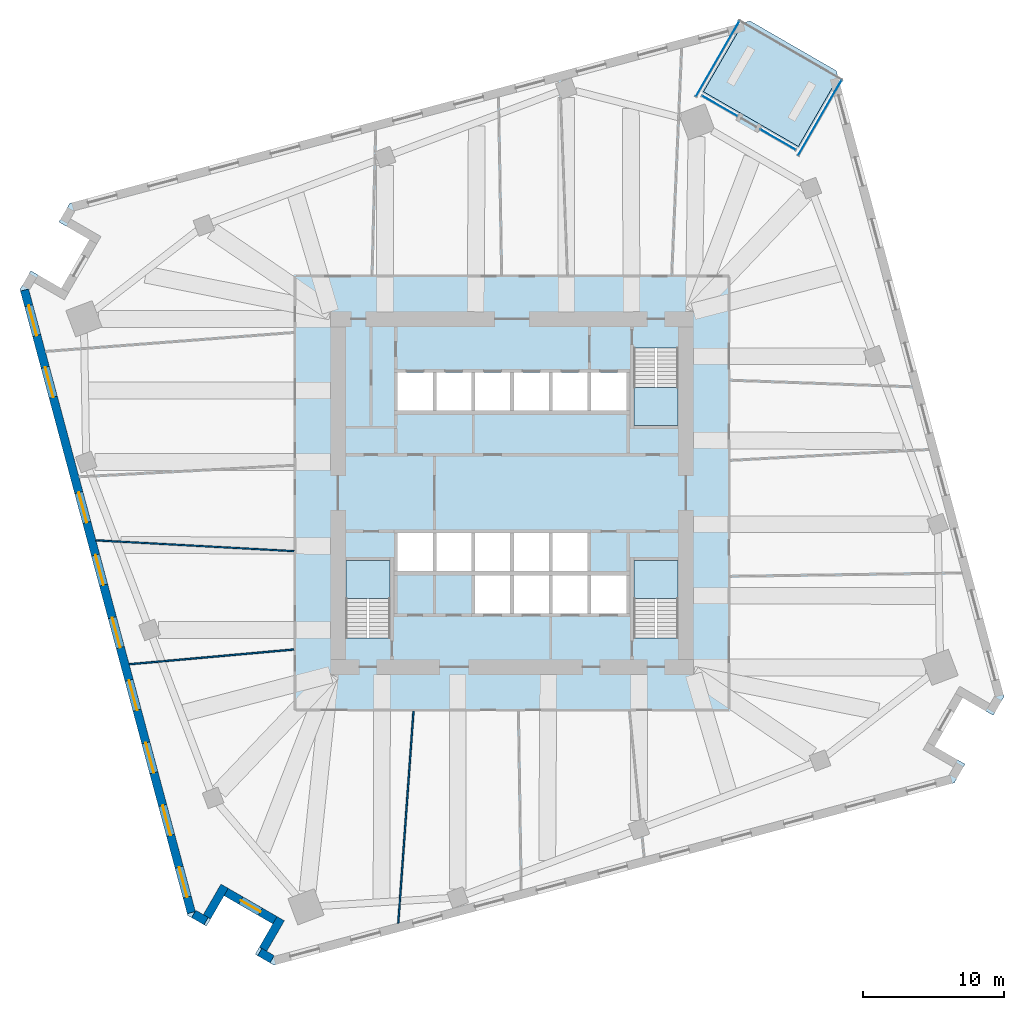
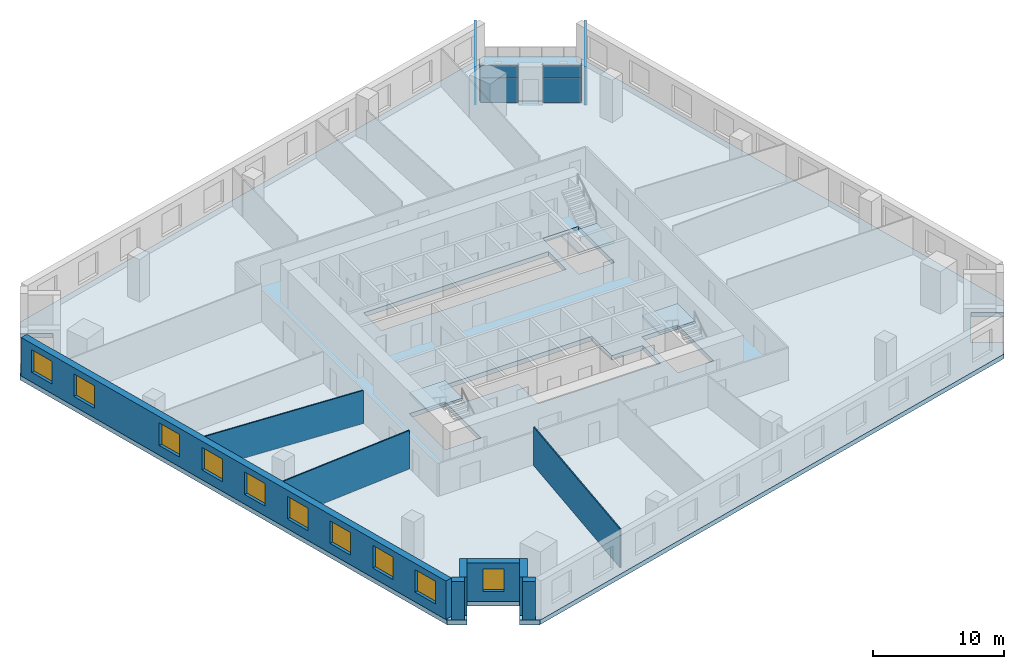
# One storey, part 5 of 13: 10 windows, 9 walls, 8 plates, 5 slabs, 10 openings, 7 elements without a shape of their own.
"""IFC4 building model written with IfcOpenShell, lengths in metres."""

from ifc_helpers import new_model, si_unit, direction, frame, frame_2d, origin, origin_2d, place, context, subcontext, project, spatial, polyline, rectangle, outline, extrude, material, layer, layer_set, type_object, element, fill, aggregate, save


model = new_model("IFC4")

# Units and contexts
model_context = context("Model", 3, precision=1e-05, world=origin(), true_north=direction((0.0, 1.0)))
body_context = subcontext(model_context, "Body", "Model", "MODEL_VIEW")
ifc_project = project(units=[si_unit("LENGTHUNIT", "METRE"), si_unit("AREAUNIT", "SQUARE_METRE"), si_unit("VOLUMEUNIT", "CUBIC_METRE"), si_unit("PLANEANGLEUNIT", "RADIAN"), si_unit("MASSUNIT", "GRAM", prefix="KILO")], contexts=[model_context])

# Site, building, storey
site_placement = place(None, origin())
site = spatial("IfcSite", under=ifc_project, at=site_placement, CompositionType="ELEMENT")
building_placement = place(site_placement, origin())
building = spatial("IfcBuilding", under=site, at=building_placement, Name="Dilmun Exchange Tower", CompositionType="ELEMENT")
storey_placement = place(building_placement, frame((0.0, 0.0, 86.10009765625)))
storey = spatial("IfcBuildingStorey", under=building, at=storey_placement, Name="L19", CompositionType="ELEMENT", Elevation=86.10009765625)

# Stair, slab
ifc_material_1 = material(Name="Concrete C40/50", Category="concrete")
stair_type = type_object("IfcStairType", Name="Exit stair 1500 half-turn", PredefinedType="HALF_TURN_STAIR", material=ifc_material_1)
stair_1_placement = place(storey_placement, origin())
stair_1 = element("IfcStair", 1, at=stair_1_placement, inside=storey, type_object=stair_type, Name="L19 Protected exit stair ST1", PredefinedType="HALF_TURN_STAIR")
ifc_layer_1 = layer(ifc_material_1, 0.199951171875)
ifc_layer_set_1 = layer_set([ifc_layer_1], Name="Concrete C40/50")
slab_type_1 = type_object("IfcSlabType", Name="Exit stair landing 200", PredefinedType="LANDING", material=ifc_layer_set_1)
slab_1_placement = place(storey_placement, frame((0.0, 0.0, 1.7998046875)))
slab_1 = element("IfcSlab", 2, at=slab_1_placement, type_object=slab_type_1, Name="ST1 landing 1", PredefinedType="LANDING", context=body_context, shape_type="SweptSolid", body=[
    extrude(outline(polyline([(8.64990234375, 7.5), (8.64990234375, 4.800048828125), (11.800048828125, 4.800048828125), (11.800048828125, 7.5), (8.64990234375, 7.5)])), origin(), (0.0, 0.0, 1.0), 0.2001953125),
])
aggregate(stair_1, [slab_1])

stair_2_placement = place(storey_placement, origin())
stair_2 = element("IfcStair", 3, at=stair_2_placement, inside=storey, type_object=stair_type, Name="L19 Protected exit stair ST2", PredefinedType="HALF_TURN_STAIR")
slab_2_placement = place(storey_placement, frame((0.0, 0.0, 1.7998046875)))
slab_2 = element("IfcSlab", 4, at=slab_2_placement, type_object=slab_type_1, Name="ST2 landing 1", PredefinedType="LANDING", context=body_context, shape_type="SweptSolid", body=[
    extrude(outline(polyline([(-8.64990234375, -7.5), (-8.64990234375, -4.800048828125), (-11.800048828125, -4.800048828125), (-11.800048828125, -7.5), (-8.64990234375, -7.5)])), origin(), (0.0, 0.0, 1.0), 0.2001953125),
])
aggregate(stair_2, [slab_2])

stair_3_placement = place(storey_placement, origin())
stair_3 = element("IfcStair", 5, at=stair_3_placement, inside=storey, type_object=stair_type, Name="L19 Protected exit stair ST3", PredefinedType="HALF_TURN_STAIR")
slab_3_placement = place(storey_placement, frame((0.0, 0.0, 1.7998046875)))
slab_3 = element("IfcSlab", 6, at=slab_3_placement, type_object=slab_type_1, Name="ST3 landing 1", PredefinedType="LANDING", context=body_context, shape_type="SweptSolid", body=[
    extrude(outline(polyline([(11.800048828125, -7.5), (11.800048828125, -4.800048828125), (8.64990234375, -4.800048828125), (8.64990234375, -7.5), (11.800048828125, -7.5)])), origin(), (0.0, 0.0, 1.0), 0.2001953125),
])
aggregate(stair_3, [slab_3])

# Curtain wall, plates
ifc_material_2 = material(Name="Anodised aluminium and clear glass", Category="aluminium")
curtain_wall_type = type_object("IfcCurtainWallType", Name="Garden corner glazing", PredefinedType="NOTDEFINED", material=ifc_material_2)
curtain_wall_1_placement = place(storey_placement, origin())
curtain_wall_1 = element("IfcCurtainWall", 7, at=curtain_wall_1_placement, inside=storey, type_object=curtain_wall_type, Name="Garden corner glazing run GC1.1", PredefinedType="NOTDEFINED")
ifc_material_3 = material(Name="Clear glass", Category="glass")
ifc_layer_2 = layer(ifc_material_3, 0.028076171875)
ifc_layer_set_2 = layer_set([ifc_layer_2], Name="Clear glass")
plate_type = type_object("IfcPlateType", Name="Garden corner glazing glass panel 28", PredefinedType="CURTAIN_PANEL", material=ifc_layer_set_2)
plate_1_placement = place(storey_placement, frame((21.8525390625, 26.64306640625, 0.059814453125), z_axis=(0.0, 0.0, 1.0), x_axis=(-0.500007922473, -0.866020829694, 0.0)))
plate_1 = element("IfcPlate", 8, at=plate_1_placement, type_object=plate_type, Name="GC1.1 panel 1.1", PredefinedType="CURTAIN_PANEL", context=body_context, shape_type="SweptSolid", body=[
    extrude(rectangle(XDim=6.12646484375, YDim=0.028076171875, at=origin_2d()), origin(), (0.0, 0.0, 1.0), 2.31005859375),
])
plate_2_placement = place(storey_placement, frame((21.8525390625, 26.64306640625, 2.4296875), z_axis=(0.0, 0.0, 1.0), x_axis=(-0.500007922473, -0.866020829694, 0.0)))
plate_2 = element("IfcPlate", 9, at=plate_2_placement, type_object=plate_type, Name="GC1.1 panel 1.2", PredefinedType="CURTAIN_PANEL", context=body_context, shape_type="SweptSolid", body=[
    extrude(rectangle(XDim=6.12646484375, YDim=0.028076171875, at=origin_2d()), origin(), (0.0, 0.0, 1.0), 1.090087890625),
])
aggregate(curtain_wall_1, [plate_1, plate_2])

curtain_wall_2_placement = place(storey_placement, origin())
curtain_wall_2 = element("IfcCurtainWall", 10, at=curtain_wall_2_placement, inside=storey, type_object=curtain_wall_type, Name="Garden corner glazing run GC2.1", PredefinedType="NOTDEFINED")
plate_3_placement = place(storey_placement, frame((18.88671875, 25.095458984375, 0.059814453125), z_axis=(0.0, 0.0, 1.0), x_axis=(-0.866015104744, 0.500017838036, 0.0)))
plate_3 = element("IfcPlate", 11, at=plate_3_placement, type_object=plate_type, Name="GC2.1 panel 1.1", PredefinedType="CURTAIN_PANEL", context=body_context, shape_type="SweptSolid", body=[
    extrude(rectangle(XDim=2.869140625, YDim=0.028076171875, at=origin_2d()), origin(), (0.0, 0.0, 1.0), 2.31005859375),
])
plate_4_placement = place(storey_placement, frame((18.88671875, 25.095458984375, 2.4296875), z_axis=(0.0, 0.0, 1.0), x_axis=(-0.866015104744, 0.500017838036, 0.0)))
plate_4 = element("IfcPlate", 12, at=plate_4_placement, type_object=plate_type, Name="GC2.1 panel 1.2", PredefinedType="CURTAIN_PANEL", context=body_context, shape_type="SweptSolid", body=[
    extrude(rectangle(XDim=2.869140625, YDim=0.028076171875, at=origin_2d()), origin(), (0.0, 0.0, 1.0), 1.090087890625),
])
aggregate(curtain_wall_2, [plate_3, plate_4])

curtain_wall_3_placement = place(storey_placement, origin())
curtain_wall_3 = element("IfcCurtainWall", 13, at=curtain_wall_3_placement, inside=storey, type_object=curtain_wall_type, Name="Garden corner glazing run GC2.3", PredefinedType="NOTDEFINED")
plate_5_placement = place(storey_placement, frame((14.7392578125, 27.489990234375, 0.059814453125), z_axis=(0.0, 0.0, 1.0), x_axis=(-0.866037954663, 0.499978260611, 0.0)))
plate_5 = element("IfcPlate", 14, at=plate_5_placement, type_object=plate_type, Name="GC2.3 panel 1.1", PredefinedType="CURTAIN_PANEL", context=body_context, shape_type="SweptSolid", body=[
    extrude(rectangle(XDim=2.869140625, YDim=0.028076171875, at=origin_2d()), origin(), (0.0, 0.0, 1.0), 2.31005859375),
])
plate_6_placement = place(storey_placement, frame((14.7392578125, 27.489990234375, 2.4296875), z_axis=(0.0, 0.0, 1.0), x_axis=(-0.866037954663, 0.499978260611, 0.0)))
plate_6 = element("IfcPlate", 15, at=plate_6_placement, type_object=plate_type, Name="GC2.3 panel 1.2", PredefinedType="CURTAIN_PANEL", context=body_context, shape_type="SweptSolid", body=[
    extrude(rectangle(XDim=2.869140625, YDim=0.028076171875, at=origin_2d()), origin(), (0.0, 0.0, 1.0), 1.090087890625),
])
aggregate(curtain_wall_3, [plate_5, plate_6])

curtain_wall_4_placement = place(storey_placement, origin())
curtain_wall_4 = element("IfcCurtainWall", 16, at=curtain_wall_4_placement, inside=storey, type_object=curtain_wall_type, Name="Garden corner glazing run GC3.1", PredefinedType="NOTDEFINED")
plate_7_placement = place(storey_placement, frame((14.5966796875, 30.832275390625, 0.059814453125), z_axis=(0.0, 0.0, 1.0), x_axis=(0.499995915726, 0.866027761828, 0.0)))
plate_7 = element("IfcPlate", 17, at=plate_7_placement, type_object=plate_type, Name="GC3.1 panel 1.1", PredefinedType="CURTAIN_PANEL", context=body_context, shape_type="SweptSolid", body=[
    extrude(rectangle(XDim=6.12646484375, YDim=0.028076171875, at=origin_2d()), origin(), (0.0, 0.0, 1.0), 2.31005859375),
])
plate_8_placement = place(storey_placement, frame((14.5966796875, 30.832275390625, 2.4296875), z_axis=(0.0, 0.0, 1.0), x_axis=(0.499995915726, 0.866027761828, 0.0)))
plate_8 = element("IfcPlate", 18, at=plate_8_placement, type_object=plate_type, Name="GC3.1 panel 1.2", PredefinedType="CURTAIN_PANEL", context=body_context, shape_type="SweptSolid", body=[
    extrude(rectangle(XDim=6.12646484375, YDim=0.028076171875, at=origin_2d()), origin(), (0.0, 0.0, 1.0), 1.090087890625),
])
aggregate(curtain_wall_4, [plate_7, plate_8])

# Slabs
ifc_layer_3 = layer(ifc_material_1, 0.419921875)
ifc_layer_set_3 = layer_set([ifc_layer_3], Name="Concrete C40/50")
slab_type_2 = type_object("IfcSlabType", Name="RC floor slab 420", PredefinedType="FLOOR", material=ifc_layer_set_3)
slab_4_placement = place(storey_placement, frame((0.0, 0.0, -0.420166015625)))
element("IfcSlab", 19, at=slab_4_placement, inside=storey, type_object=slab_type_2, Name="Floor slab", PredefinedType="FLOOR", context=body_context, shape_type="SweptSolid", body=[
    extrude(outline(polyline([(34.162841796875, -15.781494140625), (31.997802734375, -14.531494140625), (29.997802734375, -17.99560546875), (32.162841796875, -19.24560546875), (31.39501953125, -20.575439453125), (-16.901123046875, -33.516357421875), (-18.23095703125, -32.74853515625), (-16.98095703125, -30.58349609375), (-20.445068359375, -28.58349609375), (-21.695068359375, -30.74853515625), (-23.02490234375, -29.98095703125), (-34.9306640625, 14.45166015625), (-34.162841796875, 15.781494140625), (-31.997802734375, 14.531494140625), (-29.997802734375, 17.99560546875), (-32.162841796875, 19.24560546875), (-31.39501953125, 20.575439453125), (16.418212890625, 33.386962890625), (13.594970703125, 28.4970703125), (20.3310546875, 24.60791015625), (23.154296875, 29.497802734375), (34.9306640625, -14.45166015625), (34.162841796875, -15.781494140625)]), holes=[polyline([(-8.64990234375, -4.800048828125), (-11.800048828125, -4.800048828125), (-11.800048828125, -10.294921875), (-8.64990234375, -10.294921875), (-8.64990234375, -4.800048828125)]), polyline([(11.800048828125, -4.800048828125), (8.64990234375, -4.800048828125), (8.64990234375, -10.294921875), (11.800048828125, -10.294921875), (11.800048828125, -4.800048828125)]), polyline([(-8.125, -2.85009765625), (-8.125, -5.550048828125), (-2.625, -5.550048828125), (-2.625, -8.550048828125), (8.125, -8.550048828125), (8.125, -5.85009765625), (5.375, -5.85009765625), (5.375, -2.85009765625), (-8.125, -2.85009765625)]), polyline([(-8.125, 5.85009765625), (8.125, 5.85009765625), (8.125, 8.550048828125), (-8.125, 8.550048828125), (-8.125, 5.85009765625)]), polyline([(8.64990234375, 10.294921875), (8.64990234375, 4.800048828125), (11.800048828125, 4.800048828125), (11.800048828125, 10.294921875), (8.64990234375, 10.294921875)])]), origin(), (0.0, 0.0, 1.0), 0.420166015625),
])
ifc_layer_4 = layer(ifc_material_1, 0.300048828125)
ifc_layer_set_4 = layer_set([ifc_layer_4], Name="Concrete C40/50")
slab_type_3 = type_object("IfcSlabType", Name="RC garden terrace slab 300", PredefinedType="FLOOR", material=ifc_layer_set_4)
slab_5_placement = place(storey_placement, frame((0.0, 0.0, -0.300048828125)))
element("IfcSlab", 20, at=slab_5_placement, inside=storey, type_object=slab_type_3, Name="Garden terrace slab", PredefinedType="FLOOR", context=body_context, shape_type="SweptSolid", body=[
    extrude(outline(polyline([(13.594970703125, 28.4970703125), (16.418212890625, 33.386962890625), (16.901123046875, 33.516357421875), (23.02490234375, 29.98095703125), (23.154296875, 29.497802734375), (20.3310546875, 24.60791015625), (13.594970703125, 28.4970703125)])), origin(), (0.0, 0.0, 1.0), 0.300048828125),
])

# Walls
ifc_material_4 = material(Name="Partition 100")
ifc_layer_5 = layer(ifc_material_4, 0.10009765625)
ifc_layer_set_5 = layer_set([ifc_layer_5], Name="Partition 100")
wall_type_1 = type_object("IfcWallType", Name="Partition 100", PredefinedType="PARTITIONING", material=ifc_layer_set_5)
wall_1_placement = place(storey_placement, frame((-29.535888671875, -3.35546875, 0.0), z_axis=(0.0, 0.0, 1.0), x_axis=(0.998509889637, -0.054571057322, 0.0)))
element("IfcWall", 21, at=wall_1_placement, inside=storey, type_object=wall_type_1, Name="Partition", PredefinedType="PARTITIONING", context=body_context, shape_type="SweptSolid", body=[
    extrude(rectangle(XDim=14.0791015625, YDim=0.10009765625, at=frame_2d((7.03955078125, 0.0))), origin(), (0.0, 0.0, 1.0), 3.079833984375),
])
wall_2_placement = place(storey_placement, frame((-27.178466796875, -12.153564453125, 0.0), z_axis=(0.0, 0.0, 1.0), x_axis=(0.996016470741, 0.089169445512, 0.0)))
element("IfcWall", 22, at=wall_2_placement, inside=storey, type_object=wall_type_1, Name="Partition", PredefinedType="PARTITIONING", context=body_context, shape_type="SweptSolid", body=[
    extrude(rectangle(XDim=11.745849609375, YDim=0.10009765625, at=frame_2d((5.873046875, 0.0))), origin(), (0.0, 0.0, 1.0), 3.579833984375),
])
wall_3_placement = place(storey_placement, frame((-8.07421875, -30.528076171875, 0.0), z_axis=(0.0, 0.0, 1.0), x_axis=(0.071616164184, 0.997432265885, 0.0)))
element("IfcWall", 23, at=wall_3_placement, inside=storey, type_object=wall_type_1, Name="Partition", PredefinedType="PARTITIONING", context=body_context, shape_type="SweptSolid", body=[
    extrude(rectangle(XDim=15.08837890625, YDim=0.10009765625, at=frame_2d((7.544189453125, 0.0))), origin(), (0.0, 0.0, 1.0), 3.579833984375),
])

# Wall, openings, windows
ifc_material_5 = material(Name="Precast concrete C50/60", Category="concrete")
ifc_layer_6 = layer(ifc_material_5, 0.60009765625)
ifc_layer_set_6 = layer_set([ifc_layer_6], Name="Precast concrete C50/60")
wall_type_2 = type_object("IfcWallType", Name="Precast stone-clad wall 600", PredefinedType="STANDARD", material=ifc_layer_set_6)
wall_4_placement = place(storey_placement, frame((-34.608642578125, 14.4091796875, 0.0), z_axis=(0.0, 0.0, 1.0), x_axis=(0.258818949408, -0.96592585193, 0.0)))
wall_4 = element("IfcWall", 24, at=wall_4_placement, inside=storey, type_object=wall_type_2, Name="Facade wall L19-09", PredefinedType="STANDARD", context=body_context, shape_type="SweptSolid", body=[
    extrude(rectangle(XDim=45.751220703125, YDim=0.60009765625, at=frame_2d((22.87548828125, 0.0))), origin(), (0.0, 0.0, 1.0), 3.579833984375),
])
opening_1_placement = place(wall_4_placement, frame((1.137939453125, 0.0, 0.89990234375)))
opening_1 = element("IfcOpeningElement", 25, at=opening_1_placement, cuts=wall_4, Name="Opening W220-210", PredefinedType="OPENING", context=body_context, shape_type="SweptSolid", body=[
    extrude(rectangle(XDim=2.199951171875, YDim=2.10009765625, at=frame_2d((1.10009765625, 1.050048828125))), frame((0.0, 0.31005859375, 0.0), z_axis=(0.0, -1.0, 0.0), x_axis=(1.0, 0.0, 0.0)), (0.0, 0.0, 1.0), 0.6201171875),
])
opening_2_placement = place(wall_4_placement, frame((5.67578125, 0.0, 0.89990234375)))
opening_2 = element("IfcOpeningElement", 26, at=opening_2_placement, cuts=wall_4, Name="Opening W220-210", PredefinedType="OPENING", context=body_context, shape_type="SweptSolid", body=[
    extrude(rectangle(XDim=2.199951171875, YDim=2.10009765625, at=frame_2d((1.10009765625, 1.050048828125))), frame((0.0, 0.31005859375, 0.0), z_axis=(0.0, -1.0, 0.0), x_axis=(1.0, 0.0, 0.0)), (0.0, 0.0, 1.0), 0.6201171875),
])
opening_3_placement = place(wall_4_placement, frame((14.875732421875, 0.0, 0.89990234375)))
opening_3 = element("IfcOpeningElement", 27, at=opening_3_placement, cuts=wall_4, Name="Opening W220-210", PredefinedType="OPENING", context=body_context, shape_type="SweptSolid", body=[
    extrude(rectangle(XDim=2.199951171875, YDim=2.10009765625, at=frame_2d((1.10009765625, 1.050048828125))), frame((0.0, 0.31005859375, 0.0), z_axis=(0.0, -1.0, 0.0), x_axis=(1.0, 0.0, 0.0)), (0.0, 0.0, 1.0), 0.6201171875),
])
opening_4_placement = place(wall_4_placement, frame((19.4755859375, 0.0, 0.89990234375)))
opening_4 = element("IfcOpeningElement", 28, at=opening_4_placement, cuts=wall_4, Name="Opening W220-210", PredefinedType="OPENING", context=body_context, shape_type="SweptSolid", body=[
    extrude(rectangle(XDim=2.199951171875, YDim=2.10009765625, at=frame_2d((1.10009765625, 1.050048828125))), frame((0.0, 0.31005859375, 0.0), z_axis=(0.0, -1.0, 0.0), x_axis=(1.0, 0.0, 0.0)), (0.0, 0.0, 1.0), 0.6201171875),
])
opening_5_placement = place(wall_4_placement, frame((24.07568359375, 0.0, 0.89990234375)))
opening_5 = element("IfcOpeningElement", 29, at=opening_5_placement, cuts=wall_4, Name="Opening W220-210", PredefinedType="OPENING", context=body_context, shape_type="SweptSolid", body=[
    extrude(rectangle(XDim=2.199951171875, YDim=2.10009765625, at=frame_2d((1.10009765625, 1.050048828125))), frame((0.0, 0.31005859375, 0.0), z_axis=(0.0, -1.0, 0.0), x_axis=(1.0, 0.0, 0.0)), (0.0, 0.0, 1.0), 0.6201171875),
])
opening_6_placement = place(wall_4_placement, frame((28.67578125, 0.0, 0.89990234375)))
opening_6 = element("IfcOpeningElement", 30, at=opening_6_placement, cuts=wall_4, Name="Opening W220-210", PredefinedType="OPENING", context=body_context, shape_type="SweptSolid", body=[
    extrude(rectangle(XDim=2.199951171875, YDim=2.10009765625, at=frame_2d((1.10009765625, 1.050048828125))), frame((0.0, 0.31005859375, 0.0), z_axis=(0.0, -1.0, 0.0), x_axis=(1.0, 0.0, 0.0)), (0.0, 0.0, 1.0), 0.6201171875),
])
opening_7_placement = place(wall_4_placement, frame((33.275634765625, 0.0, 0.89990234375)))
opening_7 = element("IfcOpeningElement", 31, at=opening_7_placement, cuts=wall_4, Name="Opening W220-210", PredefinedType="OPENING", context=body_context, shape_type="SweptSolid", body=[
    extrude(rectangle(XDim=2.199951171875, YDim=2.10009765625, at=frame_2d((1.10009765625, 1.050048828125))), frame((0.0, 0.31005859375, 0.0), z_axis=(0.0, -1.0, 0.0), x_axis=(1.0, 0.0, 0.0)), (0.0, 0.0, 1.0), 0.6201171875),
])
opening_8_placement = place(wall_4_placement, frame((37.875732421875, 0.0, 0.89990234375)))
opening_8 = element("IfcOpeningElement", 32, at=opening_8_placement, cuts=wall_4, Name="Opening W220-210", PredefinedType="OPENING", context=body_context, shape_type="SweptSolid", body=[
    extrude(rectangle(XDim=2.199951171875, YDim=2.10009765625, at=frame_2d((1.10009765625, 1.050048828125))), frame((0.0, 0.31005859375, 0.0), z_axis=(0.0, -1.0, 0.0), x_axis=(1.0, 0.0, 0.0)), (0.0, 0.0, 1.0), 0.6201171875),
])
opening_9_placement = place(wall_4_placement, frame((42.41357421875, 0.0, 0.89990234375)))
opening_9 = element("IfcOpeningElement", 33, at=opening_9_placement, cuts=wall_4, Name="Opening W220-210", PredefinedType="OPENING", context=body_context, shape_type="SweptSolid", body=[
    extrude(rectangle(XDim=2.199951171875, YDim=2.10009765625, at=frame_2d((1.10009765625, 1.050048828125))), frame((0.0, 0.31005859375, 0.0), z_axis=(0.0, -1.0, 0.0), x_axis=(1.0, 0.0, 0.0)), (0.0, 0.0, 1.0), 0.6201171875),
])
ifc_material_6 = material(Name="Clear low-emissivity glass in aluminium frame", Category="aluminium")
window_type_1 = type_object("IfcWindowType", Name="Punched window 2200 x 2100", PartitioningType="DOUBLE_PANEL_VERTICAL", PredefinedType="WINDOW", material=ifc_material_6)
window_1_placement = place(opening_1_placement, origin())
window_1 = element("IfcWindow", 34, at=window_1_placement, inside=storey, type_object=window_type_1, Name="Window 10.1", OverallHeight=2.10009765625, OverallWidth=2.199951171875, PartitioningType="SINGLE_PANEL", PredefinedType="WINDOW", context=body_context, shape_type="SweptSolid", body=[
    extrude(rectangle(XDim=2.199951171875, YDim=2.10009765625, at=frame_2d((1.10009765625, 1.050048828125))), frame((0.0, 0.030029296875, 0.0), z_axis=(0.0, -1.0, 0.0), x_axis=(1.0, 0.0, 0.0)), (0.0, 0.0, 1.0), 0.06005859375),
])
fill(opening_1, window_1)
window_2_placement = place(opening_2_placement, origin())
window_2 = element("IfcWindow", 35, at=window_2_placement, inside=storey, type_object=window_type_1, Name="Window 10.2", OverallHeight=2.10009765625, OverallWidth=2.199951171875, PartitioningType="SINGLE_PANEL", PredefinedType="WINDOW", context=body_context, shape_type="SweptSolid", body=[
    extrude(rectangle(XDim=2.199951171875, YDim=2.10009765625, at=frame_2d((1.10009765625, 1.050048828125))), frame((0.0, 0.030029296875, 0.0), z_axis=(0.0, -1.0, 0.0), x_axis=(1.0, 0.0, 0.0)), (0.0, 0.0, 1.0), 0.06005859375),
])
fill(opening_2, window_2)
window_3_placement = place(opening_3_placement, origin())
window_3 = element("IfcWindow", 36, at=window_3_placement, inside=storey, type_object=window_type_1, Name="Window 10.4", OverallHeight=2.10009765625, OverallWidth=2.199951171875, PartitioningType="SINGLE_PANEL", PredefinedType="WINDOW", context=body_context, shape_type="SweptSolid", body=[
    extrude(rectangle(XDim=2.199951171875, YDim=2.10009765625, at=frame_2d((1.10009765625, 1.050048828125))), frame((0.0, 0.030029296875, 0.0), z_axis=(0.0, -1.0, 0.0), x_axis=(1.0, 0.0, 0.0)), (0.0, 0.0, 1.0), 0.06005859375),
])
fill(opening_3, window_3)
window_4_placement = place(opening_4_placement, origin())
window_4 = element("IfcWindow", 37, at=window_4_placement, inside=storey, type_object=window_type_1, Name="Window 10.5", OverallHeight=2.10009765625, OverallWidth=2.199951171875, PartitioningType="SINGLE_PANEL", PredefinedType="WINDOW", context=body_context, shape_type="SweptSolid", body=[
    extrude(rectangle(XDim=2.199951171875, YDim=2.10009765625, at=frame_2d((1.10009765625, 1.050048828125))), frame((0.0, 0.030029296875, 0.0), z_axis=(0.0, -1.0, 0.0), x_axis=(1.0, 0.0, 0.0)), (0.0, 0.0, 1.0), 0.06005859375),
])
fill(opening_4, window_4)
window_5_placement = place(opening_5_placement, origin())
window_5 = element("IfcWindow", 38, at=window_5_placement, inside=storey, type_object=window_type_1, Name="Window 10.6", OverallHeight=2.10009765625, OverallWidth=2.199951171875, PartitioningType="SINGLE_PANEL", PredefinedType="WINDOW", context=body_context, shape_type="SweptSolid", body=[
    extrude(rectangle(XDim=2.199951171875, YDim=2.10009765625, at=frame_2d((1.10009765625, 1.050048828125))), frame((0.0, 0.030029296875, 0.0), z_axis=(0.0, -1.0, 0.0), x_axis=(1.0, 0.0, 0.0)), (0.0, 0.0, 1.0), 0.06005859375),
])
fill(opening_5, window_5)
window_6_placement = place(opening_6_placement, origin())
window_6 = element("IfcWindow", 39, at=window_6_placement, inside=storey, type_object=window_type_1, Name="Window 10.7", OverallHeight=2.10009765625, OverallWidth=2.199951171875, PartitioningType="SINGLE_PANEL", PredefinedType="WINDOW", context=body_context, shape_type="SweptSolid", body=[
    extrude(rectangle(XDim=2.199951171875, YDim=2.10009765625, at=frame_2d((1.10009765625, 1.050048828125))), frame((0.0, 0.030029296875, 0.0), z_axis=(0.0, -1.0, 0.0), x_axis=(1.0, 0.0, 0.0)), (0.0, 0.0, 1.0), 0.06005859375),
])
fill(opening_6, window_6)
window_7_placement = place(opening_7_placement, origin())
window_7 = element("IfcWindow", 40, at=window_7_placement, inside=storey, type_object=window_type_1, Name="Window 10.8", OverallHeight=2.10009765625, OverallWidth=2.199951171875, PartitioningType="SINGLE_PANEL", PredefinedType="WINDOW", context=body_context, shape_type="SweptSolid", body=[
    extrude(rectangle(XDim=2.199951171875, YDim=2.10009765625, at=frame_2d((1.10009765625, 1.050048828125))), frame((0.0, 0.030029296875, 0.0), z_axis=(0.0, -1.0, 0.0), x_axis=(1.0, 0.0, 0.0)), (0.0, 0.0, 1.0), 0.06005859375),
])
fill(opening_7, window_7)
window_8_placement = place(opening_8_placement, origin())
window_8 = element("IfcWindow", 41, at=window_8_placement, inside=storey, type_object=window_type_1, Name="Window 10.9", OverallHeight=2.10009765625, OverallWidth=2.199951171875, PartitioningType="SINGLE_PANEL", PredefinedType="WINDOW", context=body_context, shape_type="SweptSolid", body=[
    extrude(rectangle(XDim=2.199951171875, YDim=2.10009765625, at=frame_2d((1.10009765625, 1.050048828125))), frame((0.0, 0.030029296875, 0.0), z_axis=(0.0, -1.0, 0.0), x_axis=(1.0, 0.0, 0.0)), (0.0, 0.0, 1.0), 0.06005859375),
])
fill(opening_8, window_8)
window_9_placement = place(opening_9_placement, origin())
window_9 = element("IfcWindow", 42, at=window_9_placement, inside=storey, type_object=window_type_1, Name="Window 10.10", OverallHeight=2.10009765625, OverallWidth=2.199951171875, PartitioningType="SINGLE_PANEL", PredefinedType="WINDOW", context=body_context, shape_type="SweptSolid", body=[
    extrude(rectangle(XDim=2.199951171875, YDim=2.10009765625, at=frame_2d((1.10009765625, 1.050048828125))), frame((0.0, 0.030029296875, 0.0), z_axis=(0.0, -1.0, 0.0), x_axis=(1.0, 0.0, 0.0)), (0.0, 0.0, 1.0), 0.06005859375),
])
fill(opening_9, window_9)

# Walls
wall_5_placement = place(storey_placement, frame((-22.593994140625, -29.88330078125, 0.0), z_axis=(0.0, 0.0, 1.0), x_axis=(0.86602074273, -0.500008073096, 0.0)))
element("IfcWall", 43, at=wall_5_placement, inside=storey, type_object=wall_type_2, Name="Facade wall L19-10", PredefinedType="STANDARD", context=body_context, shape_type="SweptSolid", body=[
    extrude(rectangle(XDim=1.01123046875, YDim=0.60009765625, at=frame_2d((0.505615234375, 0.0))), origin(), (0.0, 0.0, 1.0), 3.579833984375),
])
wall_6_placement = place(storey_placement, frame((-21.65478515625, -30.0791015625, 0.0), z_axis=(0.0, 0.0, 1.0), x_axis=(0.500004234368, 0.866022959057, 0.0)))
element("IfcWall", 44, at=wall_6_placement, inside=storey, type_object=wall_type_2, Name="Facade wall L19-11", PredefinedType="STANDARD", context=body_context, shape_type="SweptSolid", body=[
    extrude(rectangle(XDim=2.5, YDim=0.60009765625, at=frame_2d((1.25, 0.0))), origin(), (0.0, 0.0, 1.0), 3.579833984375),
])

# Wall, opening, window
wall_7_placement = place(storey_placement, frame((-20.295166015625, -28.32373046875, 0.0), z_axis=(0.0, 0.0, 1.0), x_axis=(0.866026010844, -0.49999894854, 0.0)))
wall_7 = element("IfcWall", 45, at=wall_7_placement, inside=storey, type_object=wall_type_2, Name="Facade wall L19-12", PredefinedType="STANDARD", context=body_context, shape_type="SweptSolid", body=[
    extrude(rectangle(XDim=4.0, YDim=0.60009765625, at=frame_2d((2.0, 0.0))), origin(), (0.0, 0.0, 1.0), 3.579833984375),
])
opening_10_placement = place(wall_7_placement, frame((1.199951171875, 0.0, 0.89990234375)))
opening_10 = element("IfcOpeningElement", 46, at=opening_10_placement, cuts=wall_7, Name="Opening W160-210", PredefinedType="OPENING", context=body_context, shape_type="SweptSolid", body=[
    extrude(rectangle(XDim=1.60009765625, YDim=2.10009765625, at=frame_2d((0.800048828125, 1.050048828125))), frame((0.0, 0.31005859375, 0.0), z_axis=(0.0, -1.0, 0.0), x_axis=(1.0, 0.0, 0.0)), (0.0, 0.0, 1.0), 0.6201171875),
])
window_type_2 = type_object("IfcWindowType", Name="Punched window 1600 x 2100", PartitioningType="DOUBLE_PANEL_VERTICAL", PredefinedType="WINDOW", material=ifc_material_6)
window_10_placement = place(opening_10_placement, origin())
window_10 = element("IfcWindow", 47, at=window_10_placement, inside=storey, type_object=window_type_2, Name="Window 13.1", OverallHeight=2.10009765625, OverallWidth=1.60009765625, PartitioningType="SINGLE_PANEL", PredefinedType="WINDOW", context=body_context, shape_type="SweptSolid", body=[
    extrude(rectangle(XDim=1.60009765625, YDim=2.10009765625, at=frame_2d((0.800048828125, 1.050048828125))), frame((0.0, 0.030029296875, 0.0), z_axis=(0.0, -1.0, 0.0), x_axis=(1.0, 0.0, 0.0)), (0.0, 0.0, 1.0), 0.06005859375),
])
fill(opening_10, window_10)

# Walls
wall_8_placement = place(storey_placement, frame((-16.421142578125, -30.214111328125, 0.0), z_axis=(0.0, 0.0, 1.0), x_axis=(-0.500046524342, -0.865998541277, 0.0)))
element("IfcWall", 48, at=wall_8_placement, inside=storey, type_object=wall_type_2, Name="Facade wall L19-13", PredefinedType="STANDARD", context=body_context, shape_type="SweptSolid", body=[
    extrude(rectangle(XDim=2.499755859375, YDim=0.60009765625, at=frame_2d((1.25, 0.0))), origin(), (0.0, 0.0, 1.0), 3.579833984375),
])
wall_9_placement = place(storey_placement, frame((-17.90771484375, -32.5888671875, 0.0), z_axis=(0.0, 0.0, 1.0), x_axis=(0.86602074273, -0.500008073096, 0.0)))
element("IfcWall", 49, at=wall_9_placement, inside=storey, type_object=wall_type_2, Name="Facade wall L19-14", PredefinedType="STANDARD", context=body_context, shape_type="SweptSolid", body=[
    extrude(rectangle(XDim=1.01123046875, YDim=0.60009765625, at=frame_2d((0.505615234375, 0.0))), origin(), (0.0, 0.0, 1.0), 3.579833984375),
])

save(model, "model.ifc")
